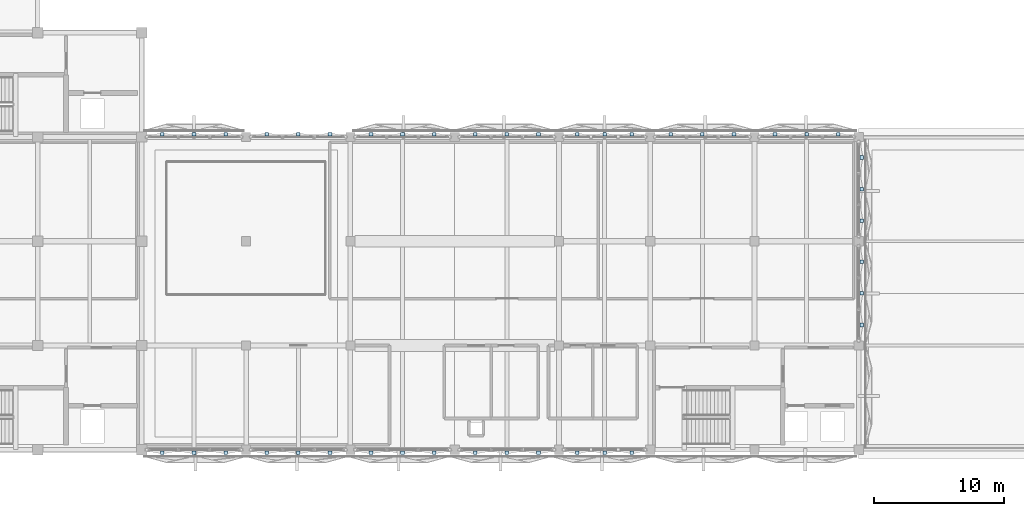
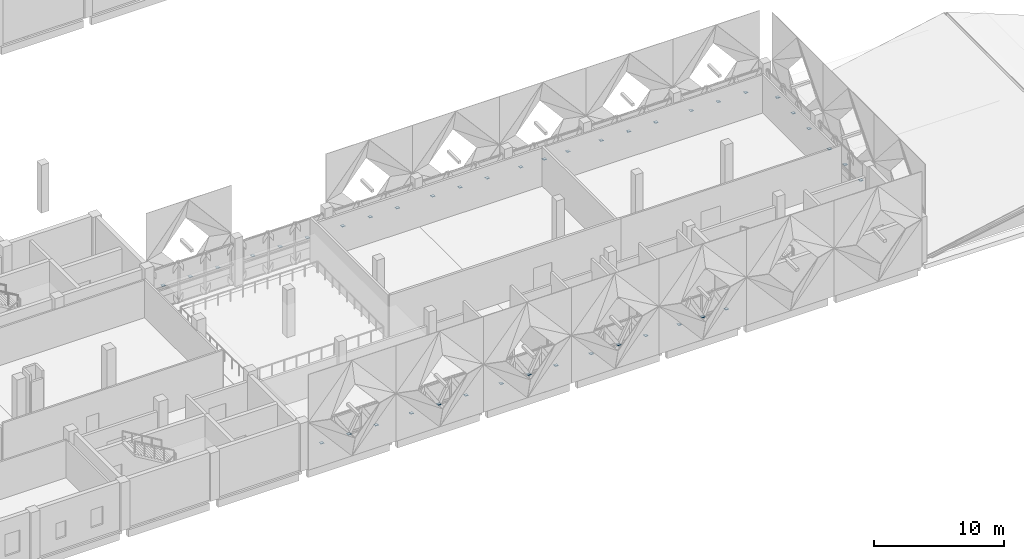
# One storey, part 20 of 37: 42 plates.
"""IFC4 building model written with IfcOpenShell, lengths in metres."""

import ifcopenshell
import ifcopenshell.guid

model = None  # the IFC model being written
_history = None  # IfcOwnerHistory: only IFC2X3 demands one
_inside = {}  # id of a spatial element -> (the spatial element, [elements in it])
_under = {}  # id of a project, library or spatial element -> (it, [spatial elements below it])
_declared = {}  # id of a project -> (the project, [libraries it declares])
_typed = {}  # id of a type object -> (the type object, [elements of that type])
_made_of = {}  # id of a material, layer set ... -> (it, [elements and type objects made of it])


def new_model(schema):
    """Start an empty IFC model of exactly this schema.

    Asked for "IFC4X3", IfcOpenShell would pick the latest addendum, in which some entities
    have other attributes; the version numbers below select the first issue.
    IFC2X3 requires an IfcOwnerHistory on every rooted entity: one is made here for all.
    """
    global model, _history
    if schema == "IFC4X3":
        model = ifcopenshell.file(schema_version=(4, 3, 0, 0))
    else:
        model = ifcopenshell.file(schema=schema)
    _inside.clear()
    _under.clear()
    _declared.clear()
    _typed.clear()
    _made_of.clear()
    _history = None
    if model.schema == "IFC2X3":
        org = make("IfcOrganization", Name="unknown")
        user = make(
            "IfcPersonAndOrganization",
            ThePerson=make("IfcPerson", FamilyName="unknown"),
            TheOrganization=org,
        )
        app = make(
            "IfcApplication",
            ApplicationDeveloper=org,
            Version="unknown",
            ApplicationFullName="unknown",
            ApplicationIdentifier="unknown",
        )
        _history = make(
            "IfcOwnerHistory",
            OwningUser=user,
            OwningApplication=app,
            ChangeAction="ADDED",
            CreationDate=0,
        )
    return model


def make(cls, **values):
    """One entity of the class cls with the attributes given. An attribute that is None is left unset."""
    return model.create_entity(
        cls, **{name: value for name, value in values.items() if value is not None}
    )


def rooted(cls, **values):
    """An entity with a GlobalId (a new one), such as an element, a storey or a relation."""
    return make(cls, GlobalId=ifcopenshell.guid.new(), OwnerHistory=_history, **values)


def si_unit(unit_type, name, prefix=None):
    """IfcSIUnit, for example si_unit("LENGTHUNIT", "METRE", prefix="MILLI")."""
    return make("IfcSIUnit", UnitType=unit_type, Prefix=prefix, Name=name)


def assignment(units):
    """IfcUnitAssignment: the units of a project."""
    return None if units is None else make("IfcUnitAssignment", Units=units)


def point(xyz):
    """IfcCartesianPoint."""
    return None if xyz is None else make("IfcCartesianPoint", Coordinates=xyz)


def direction(xyz):
    """IfcDirection."""
    return None if xyz is None else make("IfcDirection", DirectionRatios=xyz)


def frame(location, z_axis=None, x_axis=None):
    """IfcAxis2Placement3D, a coordinate frame: its origin and axes. An axis left out is left unset."""
    return make(
        "IfcAxis2Placement3D",
        Location=point(location),
        Axis=direction(z_axis),
        RefDirection=direction(x_axis),
    )


def frame_2d(location, x_axis=None):
    """IfcAxis2Placement2D, a coordinate frame in the plane: its origin and x axis."""
    return make(
        "IfcAxis2Placement2D", Location=point(location), RefDirection=direction(x_axis)
    )


def origin():
    """The frame at (0, 0, 0) with its axes left unset."""
    return frame((0.0, 0.0, 0.0))


def origin_2d():
    """The frame at (0, 0) in the plane with its x axis left unset."""
    return frame_2d((0.0, 0.0))


def place(relative_to, where):
    """IfcLocalPlacement: puts the frame where relative to a parent placement (None: the world)."""
    return make(
        "IfcLocalPlacement", PlacementRelTo=relative_to, RelativePlacement=where
    )


def context(
    kind, dimensions, precision=None, world=None, true_north=None, identifier=None
):
    """IfcGeometricRepresentationContext, for example the 3D "Model" context."""
    return make(
        "IfcGeometricRepresentationContext",
        ContextIdentifier=identifier,
        ContextType=kind,
        CoordinateSpaceDimension=dimensions,
        Precision=precision,
        WorldCoordinateSystem=world,
        TrueNorth=true_north,
    )


def subcontext(parent, identifier, kind, view, scale=None):
    """IfcGeometricRepresentationSubContext, for example "Body" below "Model"."""
    return make(
        "IfcGeometricRepresentationSubContext",
        ContextIdentifier=identifier,
        ContextType=kind,
        ParentContext=parent,
        TargetScale=scale,
        TargetView=view,
    )


def project(units=None, contexts=None):
    """IfcProject with its units and contexts."""
    return rooted(
        "IfcProject",
        Name="project",
        RepresentationContexts=contexts,
        UnitsInContext=assignment(units),
    )


def spatial(cls, under=None, at=None, **own):
    """A site, building, storey or space (cls), placed at a placement, below another one or the project."""
    s = rooted(cls, ObjectPlacement=at, **own)
    if under is not None:
        _under.setdefault(under.id(), (under, []))[1].append(s)
    return s


def profile(cls, at=None, kind="AREA", **sizes):
    """A parametric profile (cls). Its sizes go by their IFC names, for example OverallWidth=200.0."""
    return make(cls, ProfileType=kind, Position=at, **sizes)


def rectangle(**sizes):
    """IfcRectangleProfileDef."""
    return profile("IfcRectangleProfileDef", **sizes)


def extrude(swept, where, along, depth):
    """IfcExtrudedAreaSolid: the profile swept, set in the frame where, extruded along a direction by depth."""
    return make(
        "IfcExtrudedAreaSolid",
        SweptArea=swept,
        Position=where,
        ExtrudedDirection=direction(along),
        Depth=depth,
    )


def shape(context_of_items, identifier, shape_type, items):
    """IfcShapeRepresentation: the items that make up one representation, for example the "Body"."""
    return make(
        "IfcShapeRepresentation",
        ContextOfItems=context_of_items,
        RepresentationIdentifier=identifier,
        RepresentationType=shape_type,
        Items=items,
    )


def material(Name=None, Category=None):
    """IfcMaterial."""
    return make("IfcMaterial", Name=Name, Category=Category)


def layer(
    of_material, thickness, ventilated=None, Name=None, Category=None, Priority=None
):
    """IfcMaterialLayer: one layer of a wall or slab, of a material (None: an air gap)."""
    return make(
        "IfcMaterialLayer",
        Material=of_material,
        LayerThickness=thickness,
        IsVentilated=ventilated,
        Name=Name,
        Category=Category,
        Priority=Priority,
    )


def layer_set(layers, Name=None):
    """IfcMaterialLayerSet."""
    return make("IfcMaterialLayerSet", MaterialLayers=layers, LayerSetName=Name)


def made_of(thing, what):
    """Note that an element or type object is made of a material, layer set ...; save() writes the relation."""
    if what is not None:
        _made_of.setdefault(what.id(), (what, []))[1].append(thing)
    return thing


def type_object(cls, material=None, **own):
    """A type object (cls), such as IfcWallType, which elements share."""
    return made_of(rooted(cls, **own), material)


def element(
    cls,
    number,
    at=None,
    inside=None,
    cuts=None,
    type_object=None,
    material=None,
    context=None,
    identifier="Body",
    shape_type=None,
    held_by="IfcProductDefinitionShape",
    body=None,
    shapes=None,
    **own,
):
    """One element of the class cls, such as IfcWall. Its Tag is "e" and its number.

    at: its placement. inside: the storey or other place that contains it. cuts: it is an
    opening in that element (IfcRelVoidsElement). A single representation is given by context,
    identifier, shape_type and body (its items); several are given by shapes. held_by: the class
    of the entity that holds the representations. save() writes the other relations.
    """
    e = rooted(cls, Tag="e%d" % number, ObjectPlacement=at, **own)
    if body is not None:
        shapes = [shape(context, identifier, shape_type, body)]
    if shapes is not None:
        e.Representation = make(held_by, Representations=shapes)
    if inside is not None:
        _inside.setdefault(inside.id(), (inside, []))[1].append(e)
    if cuts is not None:
        rooted(
            "IfcRelVoidsElement", RelatingBuildingElement=cuts, RelatedOpeningElement=e
        )
    if type_object is not None:
        _typed.setdefault(type_object.id(), (type_object, []))[1].append(e)
    return made_of(e, material)


def aggregate(whole, parts):
    """IfcRelAggregates: a whole, such as a stair, and the parts it consists of."""
    return rooted("IfcRelAggregates", RelatingObject=whole, RelatedObjects=parts)


def save(model, path):
    """Write the relations noted so far, then the file.

    IfcRelAggregates (storeys below a building ...), IfcRelContainedInSpatialStructure (elements
    in a storey), IfcRelDefinesByType, IfcRelAssociatesMaterial and IfcRelDeclares: one each for
    every whole, place, type object, material and project.
    """
    for whole, parts in _under.values():
        aggregate(whole, parts)
    for where, things in _inside.values():
        rooted(
            "IfcRelContainedInSpatialStructure",
            RelatedElements=things,
            RelatingStructure=where,
        )
    for kind, things in _typed.values():
        rooted("IfcRelDefinesByType", RelatedObjects=things, RelatingType=kind)
    for what, things in _made_of.values():
        rooted("IfcRelAssociatesMaterial", RelatedObjects=things, RelatingMaterial=what)
    for by, libraries in _declared.values():
        rooted("IfcRelDeclares", RelatingContext=by, RelatedDefinitions=libraries)
    model.write(path)


model = new_model("IFC4")

# Units and contexts
model_context = context("Model", 3, precision=1e-05, world=origin(), true_north=direction((0.0, 1.0)))
body_context = subcontext(model_context, "Body", "Model", "MODEL_VIEW")
ifc_project = project(units=[si_unit("LENGTHUNIT", "METRE"), si_unit("AREAUNIT", "SQUARE_METRE"), si_unit("VOLUMEUNIT", "CUBIC_METRE"), si_unit("PLANEANGLEUNIT", "RADIAN"), si_unit("MASSUNIT", "GRAM", prefix="KILO")], contexts=[model_context])

# Site, building, storey
site_placement = place(None, origin())
site = spatial("IfcSite", under=ifc_project, at=site_placement, CompositionType="ELEMENT")
building_placement = place(site_placement, origin())
building = spatial("IfcBuilding", under=site, at=building_placement, Name="Qorikala Patio Media Centre", CompositionType="ELEMENT")
storey_placement = place(building_placement, frame((0.0, 0.0, 14.39990234375)))
storey = spatial("IfcBuildingStorey", under=building, at=storey_placement, Name="L03", CompositionType="ELEMENT", Elevation=14.39990234375)

# Plates
ifc_material = material(Name="Golden Bronze Coated Steel S355", Category="steel")
ifc_layer = layer(ifc_material, 0.01611328125)
ifc_layer_set = layer_set([ifc_layer], Name="Golden Bronze Coated Steel S355")
plate_type = type_object("IfcPlateType", Name="PL-ND-06", PredefinedType="SHEET", material=ifc_layer_set)
for number, where, z_axis, x_axis, name in (
    (1, (98.21923828125, 25.4267578125, 1.9169921875), (0.0, 0.0, 1.0), (0.0, -1.0, 0.0), "L03 Diamond Apex Node Plate 067"),
    (2, (98.21923828125, 23.0, 1.9169921875), (0.0, 0.0, 1.0), (0.0, -1.0, 0.0), "L03 Diamond Apex Node Plate 068"),
    (3, (98.21923828125, 20.5732421875, 1.9169921875), (0.0, 0.0, 1.0), (0.0, -1.0, 0.0), "L03 Diamond Apex Node Plate 069"),
    (4, (98.21923828125, 17.4267578125, 1.9169921875), (0.0, 0.0, 1.0), (0.0, -1.0, 0.0), "L03 Diamond Apex Node Plate 070"),
    (5, (98.21923828125, 15.0, 1.9169921875), (0.0, 0.0, 1.0), (0.0, -1.0, 0.0), "L03 Diamond Apex Node Plate 071"),
    (6, (98.21923828125, 12.5732421875, 1.9169921875), (0.0, 0.0, 1.0), (0.0, -1.0, 0.0), "L03 Diamond Apex Node Plate 072"),
    (7, (80.59326171875, 2.78076171875, 1.9169921875), (0.0, 0.0, 1.0), (-1.0, 0.0, 0.0), "L03 Diamond Apex Node Plate 073"),
    (8, (78.5, 2.78076171875, 1.9169921875), (0.0, 0.0, 1.0), (-1.0, 0.0, 0.0), "L03 Diamond Apex Node Plate 074"),
    (9, (76.40673828125, 2.78076171875, 1.9169921875), (0.0, 0.0, 1.0), (-1.0, 0.0, 0.0), "L03 Diamond Apex Node Plate 075"),
    (10, (73.4267578125, 2.78076171875, 1.9169921875), (0.0, 0.0, 1.0), (-1.0, 0.0, 0.0), "L03 Diamond Apex Node Plate 076"),
    (11, (71.0, 2.78076171875, 1.9169921875), (0.0, 0.0, 1.0), (-1.0, 0.0, 0.0), "L03 Diamond Apex Node Plate 077"),
    (12, (68.5732421875, 2.78076171875, 1.9169921875), (0.0, 0.0, 1.0), (-1.0, 0.0, 0.0), "L03 Diamond Apex Node Plate 078"),
    (13, (65.4267578125, 2.78076171875, 1.9169921875), (0.0, 0.0, 1.0), (-1.0, 0.0, 0.0), "L03 Diamond Apex Node Plate 079"),
    (14, (63.0, 2.78076171875, 1.9169921875), (0.0, 0.0, 1.0), (-1.0, 0.0, 0.0), "L03 Diamond Apex Node Plate 080"),
    (15, (60.5732421875, 2.78076171875, 1.9169921875), (0.0, 0.0, 1.0), (-1.0, 0.0, 0.0), "L03 Diamond Apex Node Plate 081"),
    (16, (57.4267578125, 2.78076171875, 1.9169921875), (0.0, 0.0, 1.0), (-1.0, 0.0, 0.0), "L03 Diamond Apex Node Plate 082"),
    (17, (55.0, 2.78076171875, 1.9169921875), (0.0, 0.0, 1.0), (-1.0, 0.0, 0.0), "L03 Diamond Apex Node Plate 083"),
    (18, (52.5732421875, 2.78076171875, 1.9169921875), (0.0, 0.0, 1.0), (-1.0, 0.0, 0.0), "L03 Diamond Apex Node Plate 084"),
    (19, (49.4267578125, 2.78076171875, 1.9169921875), (0.0, 0.0, 1.0), (-1.0, 0.0, 0.0), "L03 Diamond Apex Node Plate 085"),
    (20, (47.0, 2.78076171875, 1.9169921875), (0.0, 0.0, 1.0), (-1.0, 0.0, 0.0), "L03 Diamond Apex Node Plate 086"),
    (21, (44.5732421875, 2.78076171875, 1.9169921875), (0.0, 0.0, 1.0), (-1.0, 0.0, 0.0), "L03 Diamond Apex Node Plate 087"),
    (22, (44.5732421875, 27.21923828125, 1.9169921875), (0.0, 0.0, 1.0), (1.0, 0.0, 0.0), "L03 Diamond Apex Node Plate 088"),
    (23, (47.0, 27.21923828125, 1.9169921875), (0.0, 0.0, 1.0), (1.0, 0.0, 0.0), "L03 Diamond Apex Node Plate 089"),
    (24, (49.4267578125, 27.21923828125, 1.9169921875), (0.0, 0.0, 1.0), (1.0, 0.0, 0.0), "L03 Diamond Apex Node Plate 090"),
    (25, (52.5732421875, 27.21923828125, 1.9169921875), (0.0, 0.0, 1.0), (1.0, 0.0, 0.0), "L03 Diamond Apex Node Plate 091"),
    (26, (55.0, 27.21923828125, 1.9169921875), (0.0, 0.0, 1.0), (1.0, 0.0, 0.0), "L03 Diamond Apex Node Plate 092"),
    (27, (57.4267578125, 27.21923828125, 1.9169921875), (0.0, 0.0, 1.0), (1.0, 0.0, 0.0), "L03 Diamond Apex Node Plate 093"),
    (28, (60.5732421875, 27.21923828125, 1.9169921875), (0.0, 0.0, 1.0), (1.0, 0.0, 0.0), "L03 Diamond Apex Node Plate 094"),
    (29, (63.0, 27.21923828125, 1.9169921875), (0.0, 0.0, 1.0), (1.0, 0.0, 0.0), "L03 Diamond Apex Node Plate 095"),
    (30, (65.4267578125, 27.21923828125, 1.9169921875), (0.0, 0.0, 1.0), (1.0, 0.0, 0.0), "L03 Diamond Apex Node Plate 096"),
    (31, (68.5732421875, 27.21923828125, 1.9169921875), (0.0, 0.0, 1.0), (1.0, 0.0, 0.0), "L03 Diamond Apex Node Plate 097"),
    (32, (71.0, 27.21923828125, 1.9169921875), (0.0, 0.0, 1.0), (1.0, 0.0, 0.0), "L03 Diamond Apex Node Plate 098"),
    (33, (73.4267578125, 27.21923828125, 1.9169921875), (0.0, 0.0, 1.0), (1.0, 0.0, 0.0), "L03 Diamond Apex Node Plate 099"),
    (34, (76.40673828125, 27.21923828125, 1.9169921875), (0.0, 0.0, 1.0), (1.0, 0.0, 0.0), "L03 Diamond Apex Node Plate 100"),
    (35, (78.5, 27.21923828125, 1.9169921875), (0.0, 0.0, 1.0), (1.0, 0.0, 0.0), "L03 Diamond Apex Node Plate 101"),
    (36, (80.59326171875, 27.21923828125, 1.9169921875), (0.0, 0.0, 1.0), (1.0, 0.0, 0.0), "L03 Diamond Apex Node Plate 102"),
    (37, (83.5732421875, 27.21923828125, 1.9169921875), (0.0, 0.0, 1.0), (1.0, 0.0, 0.0), "L03 Diamond Apex Node Plate 103"),
    (38, (86.0, 27.21923828125, 1.9169921875), (0.0, 0.0, 1.0), (1.0, 0.0, 0.0), "L03 Diamond Apex Node Plate 104"),
    (39, (88.4267578125, 27.21923828125, 1.9169921875), (0.0, 0.0, 1.0), (1.0, 0.0, 0.0), "L03 Diamond Apex Node Plate 105"),
    (40, (91.5732421875, 27.21923828125, 1.9169921875), (0.0, 0.0, 1.0), (1.0, 0.0, 0.0), "L03 Diamond Apex Node Plate 106"),
    (41, (94.0, 27.21923828125, 1.9169921875), (0.0, 0.0, 1.0), (1.0, 0.0, 0.0), "L03 Diamond Apex Node Plate 107"),
    (42, (96.4267578125, 27.21923828125, 1.9169921875), (0.0, 0.0, 1.0), (1.0, 0.0, 0.0), "L03 Diamond Apex Node Plate 108"),
):
    element("IfcPlate", number, at=place(storey_placement, frame(where, z_axis=z_axis, x_axis=x_axis)), inside=storey, type_object=plate_type, Name=name, PredefinedType="SHEET", context=body_context, shape_type="SweptSolid", body=[
        extrude(rectangle(XDim=0.280029296875, YDim=0.280029296875, at=origin_2d()), origin(), (0.0, 0.0, 1.0), 0.01611328125),
    ])

save(model, "model.ifc")
